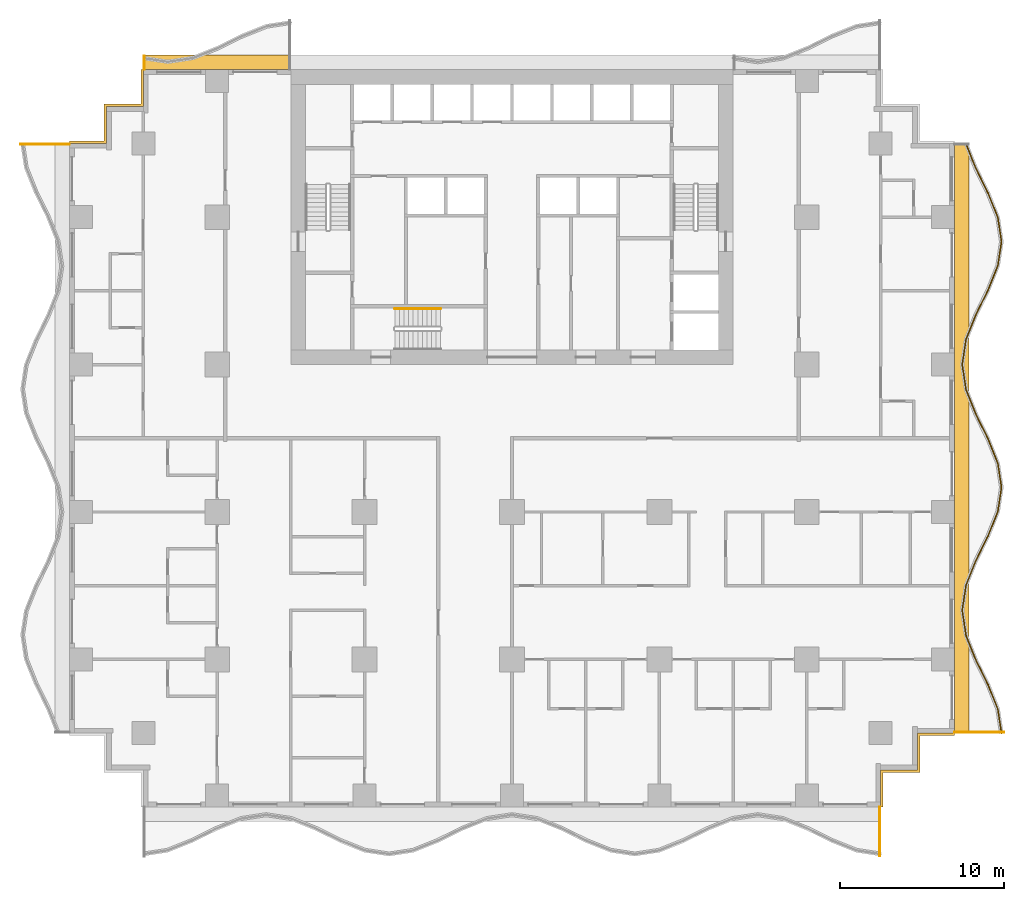
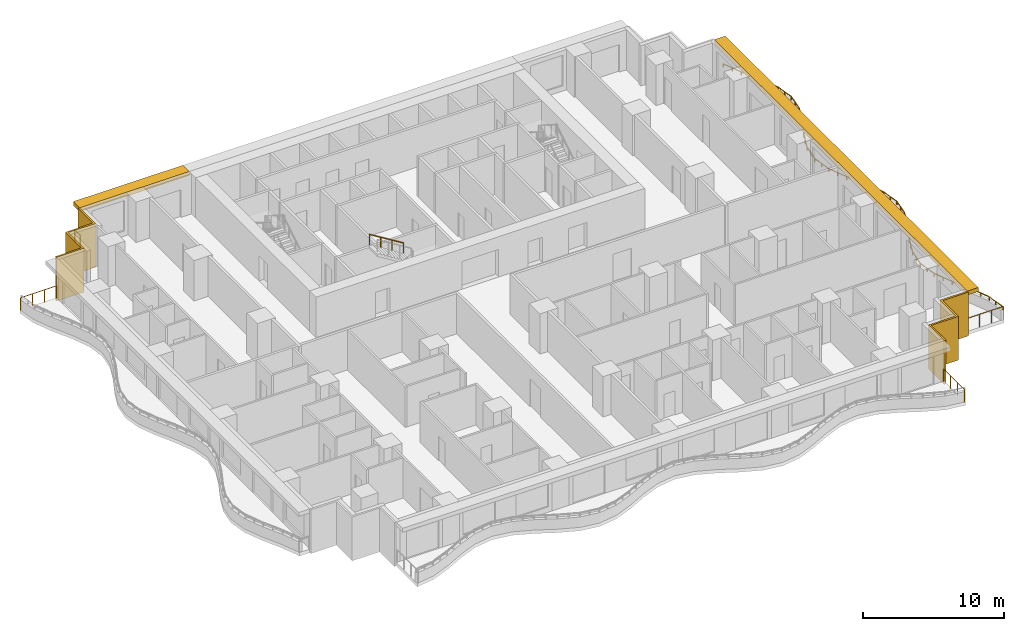
# One storey, part 10 of 13: 6 railings, 4 shading devices.
"""IFC4 building model written with IfcOpenShell, lengths in metres."""

from ifc_helpers import new_model, si_unit, direction, frame, origin, origin_2d, place, context, subcontext, project, spatial, polyline, rectangle, circle, outline, extrude, material, layer, layer_set, type_object, element, save


model = new_model("IFC4")

# Units and contexts
model_context = context("Model", 3, precision=1e-05, world=origin(), true_north=direction((0.0, 1.0)))
body_context = subcontext(model_context, "Body", "Model", "MODEL_VIEW")
ifc_project = project(units=[si_unit("LENGTHUNIT", "METRE"), si_unit("AREAUNIT", "SQUARE_METRE"), si_unit("VOLUMEUNIT", "CUBIC_METRE"), si_unit("PLANEANGLEUNIT", "RADIAN"), si_unit("MASSUNIT", "GRAM", prefix="KILO")], contexts=[model_context])

# Site, building, storey
site_placement = place(None, origin())
site = spatial("IfcSite", under=ifc_project, at=site_placement, CompositionType="ELEMENT")
building_placement = place(site_placement, origin())
building = spatial("IfcBuilding", under=site, at=building_placement, Name="Orbiselva Terraces", CompositionType="ELEMENT")
storey_placement = place(building_placement, frame((0.0, 0.0, 53.0)))
storey = spatial("IfcBuildingStorey", under=building, at=storey_placement, Name="L13", CompositionType="ELEMENT", Elevation=53.0)

# Railings
ifc_material_1 = material(Name="Stainless steel", Category="steel")
railing_type_1 = type_object("IfcRailingType", Name="CORE-HANDRAIL-900", PredefinedType="HANDRAIL", material=ifc_material_1)
railing_1_placement = place(storey_placement, frame((-4.35, 7.9, 2.072727)))
element("IfcRailing", 1, at=railing_1_placement, inside=storey, type_object=railing_type_1, Name="L13 S3 stair handrail 2", PredefinedType="HANDRAIL", context=body_context, shape_type="SweptSolid", body=[
    extrude(circle(Radius=0.024, at=origin_2d()), frame((0.0, 0.0, 0.876), z_axis=(-0.851088519012, 0.0, 0.52502222125), x_axis=(0.0, -1.0, 0.0)), (0.0, 0.0, 1.0), 3.289905),
    extrude(circle(Radius=0.021, at=origin_2d()), origin(), (0.0, 0.0, 1.0), 0.852),
    extrude(circle(Radius=0.021, at=origin_2d()), frame((-0.933333, 0.0, 0.575758)), (0.0, 0.0, 1.0), 0.852),
    extrude(circle(Radius=0.021, at=origin_2d()), frame((-1.866667, 0.0, 1.151515)), (0.0, 0.0, 1.0), 0.852),
    extrude(circle(Radius=0.021, at=origin_2d()), frame((-2.8, 0.0, 1.727273)), (0.0, 0.0, 1.0), 0.852),
])
ifc_material_2 = material(Name="Bonded two-ply safety glass balustrade, stainless steel posts", Category="steel")
railing_type_2 = type_object("IfcRailingType", Name="ENV-BALUSTRADE-1200", PredefinedType="BALUSTRADE", material=ifc_material_2)
railing_2_placement = place(storey_placement, frame((29.876434, -18.018879, 0.9)))
element("IfcRailing", 2, at=railing_2_placement, inside=storey, type_object=railing_type_2, Name="Balcony balustrade L13 E", PredefinedType="BALUSTRADE", context=body_context, shape_type="SweptSolid", body=[
    extrude(outline(polyline([(0.028868, 0.0), (0.014434, 0.025), (-0.014434, 0.025), (-0.028868, 0.0), (-0.014434, -0.025), (0.014434, -0.025), (0.028868, 0.0)])), frame((0.0, 0.0, 0.275), z_axis=(-0.151034103443, 0.988528552748, 0.0), x_axis=(-0.988528552748, -0.151034103443, 0.0)), (0.0, 0.0, 1.0), 1.503038),
    extrude(outline(polyline([(0.028868, 0.0), (0.014434, 0.025), (-0.014434, 0.025), (-0.028868, 0.0), (-0.014434, -0.025), (0.014434, -0.025), (0.028868, 0.0)])), frame((-0.22701, 1.485796, 0.275), z_axis=(-0.371391000387, 0.928476561272, 0.0), x_axis=(-0.928476561272, -0.371391000387, 0.0)), (0.0, 0.0, 1.0), 1.596261),
    extrude(outline(polyline([(0.028868, 0.0), (0.014434, 0.025), (-0.014434, 0.025), (-0.028868, 0.0), (-0.014434, -0.025), (0.014434, -0.025), (0.028868, 0.0)])), frame((-0.819847, 2.967887, 0.275), z_axis=(-0.443212307306, 0.896416672454, 0.0), x_axis=(-0.896416672454, -0.443212307306, 0.0)), (0.0, 0.0, 1.0), 1.673329),
    extrude(outline(polyline([(0.028868, 0.0), (0.014434, 0.025), (-0.014434, 0.025), (-0.028868, 0.0), (-0.014434, -0.025), (0.014434, -0.025), (0.028868, 0.0)])), frame((-1.561487, 4.467887, 0.275), z_axis=(-0.371390359967, 0.92847681744, 0.0), x_axis=(-0.92847681744, -0.371390359967, 0.0)), (0.0, 0.0, 1.0), 1.634838),
    extrude(outline(polyline([(0.028868, 0.0), (0.014434, 0.025), (-0.014434, 0.025), (-0.028868, 0.0), (-0.014434, -0.025), (0.014434, -0.025), (0.028868, 0.0)])), frame((-2.16865, 5.985796, 0.275), z_axis=(-0.151034211256, 0.988528536275, 0.0), x_axis=(-0.988528536275, -0.151034211256, 0.0)), (0.0, 0.0, 1.0), 1.550874),
    extrude(outline(polyline([(0.028868, 0.0), (0.014434, 0.025), (-0.014434, 0.025), (-0.028868, 0.0), (-0.014434, -0.025), (0.014434, -0.025), (0.028868, 0.0)])), frame((-2.402885, 7.518879, 0.275), z_axis=(0.151034211256, 0.988528536275, 0.0), x_axis=(-0.988528536275, 0.151034211256, 0.0)), (0.0, 0.0, 1.0), 1.550874),
    extrude(outline(polyline([(0.028868, 0.0), (0.014434, 0.025), (-0.014434, 0.025), (-0.028868, 0.0), (-0.014434, -0.025), (0.014434, -0.025), (0.028868, 0.0)])), frame((-2.16865, 9.051962, 0.275), z_axis=(0.371390359967, 0.92847681744, 0.0), x_axis=(-0.92847681744, 0.371390359967, 0.0)), (0.0, 0.0, 1.0), 1.634838),
    extrude(outline(polyline([(0.028868, 0.0), (0.014434, 0.025), (-0.014434, 0.025), (-0.028868, 0.0), (-0.014434, -0.025), (0.014434, -0.025), (0.028868, 0.0)])), frame((-1.561487, 10.569871, 0.275), z_axis=(0.443212307306, 0.896416672454, 0.0), x_axis=(-0.896416672454, 0.443212307306, 0.0)), (0.0, 0.0, 1.0), 1.673329),
    extrude(outline(polyline([(0.028868, 0.0), (0.014434, 0.025), (-0.014434, 0.025), (-0.028868, 0.0), (-0.014434, -0.025), (0.014434, -0.025), (0.028868, 0.0)])), frame((-0.819847, 12.069871, 0.275), z_axis=(0.371391000387, 0.928476561272, 0.0), x_axis=(-0.928476561272, 0.371391000387, 0.0)), (0.0, 0.0, 1.0), 1.596261),
    extrude(outline(polyline([(0.028868, 0.0), (0.014434, 0.025), (-0.014434, 0.025), (-0.028868, 0.0), (-0.014434, -0.025), (0.014434, -0.025), (0.028868, 0.0)])), frame((-0.22701, 13.551962, 0.275), z_axis=(0.151033749027, 0.988528606898, 0.0), x_axis=(-0.988528606898, 0.151033749027, 0.0)), (0.0, 0.0, 1.0), 1.48394),
    extrude(outline(polyline([(0.028868, 0.0), (0.014434, 0.025), (-0.014434, 0.025), (-0.028868, 0.0), (-0.014434, -0.025), (0.014434, -0.025), (0.028868, 0.0)])), frame((-0.002885, 15.018879, 0.275), z_axis=(-0.151033749027, 0.988528606898, 0.0), x_axis=(-0.988528606898, -0.151033749027, 0.0)), (0.0, 0.0, 1.0), 1.48394),
    extrude(outline(polyline([(0.028868, 0.0), (0.014434, 0.025), (-0.014434, 0.025), (-0.028868, 0.0), (-0.014434, -0.025), (0.014434, -0.025), (0.028868, 0.0)])), frame((-0.22701, 16.485796, 0.275), z_axis=(-0.371391000387, 0.928476561272, 0.0), x_axis=(-0.928476561272, -0.371391000387, 0.0)), (0.0, 0.0, 1.0), 1.596261),
    extrude(outline(polyline([(0.028868, 0.0), (0.014434, 0.025), (-0.014434, 0.025), (-0.028868, 0.0), (-0.014434, -0.025), (0.014434, -0.025), (0.028868, 0.0)])), frame((-0.819847, 17.967887, 0.275), z_axis=(-0.443212307306, 0.896416672454, 0.0), x_axis=(-0.896416672454, -0.443212307306, 0.0)), (0.0, 0.0, 1.0), 1.673329),
    extrude(outline(polyline([(0.028868, 0.0), (0.014434, 0.025), (-0.014434, 0.025), (-0.028868, 0.0), (-0.014434, -0.025), (0.014434, -0.025), (0.028868, 0.0)])), frame((-1.561487, 19.467887, 0.275), z_axis=(-0.371390359967, 0.92847681744, 0.0), x_axis=(-0.92847681744, -0.371390359967, 0.0)), (0.0, 0.0, 1.0), 1.634838),
    extrude(outline(polyline([(0.028868, 0.0), (0.014434, 0.025), (-0.014434, 0.025), (-0.028868, 0.0), (-0.014434, -0.025), (0.014434, -0.025), (0.028868, 0.0)])), frame((-2.16865, 20.985796, 0.275), z_axis=(-0.151034211256, 0.988528536275, 0.0), x_axis=(-0.988528536275, -0.151034211256, 0.0)), (0.0, 0.0, 1.0), 1.550874),
    extrude(outline(polyline([(0.028868, 0.0), (0.014434, 0.025), (-0.014434, 0.025), (-0.028868, 0.0), (-0.014434, -0.025), (0.014434, -0.025), (0.028868, 0.0)])), frame((-2.402885, 22.518879, 0.275), z_axis=(0.151034211256, 0.988528536275, 0.0), x_axis=(-0.988528536275, 0.151034211256, 0.0)), (0.0, 0.0, 1.0), 1.550874),
    extrude(outline(polyline([(0.028868, 0.0), (0.014434, 0.025), (-0.014434, 0.025), (-0.028868, 0.0), (-0.014434, -0.025), (0.014434, -0.025), (0.028868, 0.0)])), frame((-2.16865, 24.051962, 0.275), z_axis=(0.371390359967, 0.92847681744, 0.0), x_axis=(-0.92847681744, 0.371390359967, 0.0)), (0.0, 0.0, 1.0), 1.634838),
    extrude(outline(polyline([(0.028868, 0.0), (0.014434, 0.025), (-0.014434, 0.025), (-0.028868, 0.0), (-0.014434, -0.025), (0.014434, -0.025), (0.028868, 0.0)])), frame((-1.561487, 25.569871, 0.275), z_axis=(0.443212307306, 0.896416672454, 0.0), x_axis=(-0.896416672454, 0.443212307306, 0.0)), (0.0, 0.0, 1.0), 1.673329),
    extrude(outline(polyline([(0.028868, 0.0), (0.014434, 0.025), (-0.014434, 0.025), (-0.028868, 0.0), (-0.014434, -0.025), (0.014434, -0.025), (0.028868, 0.0)])), frame((-0.819847, 27.069871, 0.275), z_axis=(0.371391000387, 0.928476561272, 0.0), x_axis=(-0.928476561272, 0.371391000387, 0.0)), (0.0, 0.0, 1.0), 1.596261),
    extrude(outline(polyline([(0.028868, 0.0), (0.014434, 0.025), (-0.014434, 0.025), (-0.028868, 0.0), (-0.014434, -0.025), (0.014434, -0.025), (0.028868, 0.0)])), frame((-0.22701, 28.551962, 0.275), z_axis=(0.151033749027, 0.988528606898, 0.0), x_axis=(-0.988528606898, 0.151033749027, 0.0)), (0.0, 0.0, 1.0), 1.48394),
    extrude(outline(polyline([(0.028868, 0.0), (0.014434, 0.025), (-0.014434, 0.025), (-0.028868, 0.0), (-0.014434, -0.025), (0.014434, -0.025), (0.028868, 0.0)])), frame((-0.002885, 30.018879, 0.275), z_axis=(-0.151033749027, 0.988528606898, 0.0), x_axis=(-0.988528606898, -0.151033749027, 0.0)), (0.0, 0.0, 1.0), 1.48394),
    extrude(outline(polyline([(0.028868, 0.0), (0.014434, 0.025), (-0.014434, 0.025), (-0.028868, 0.0), (-0.014434, -0.025), (0.014434, -0.025), (0.028868, 0.0)])), frame((-0.22701, 31.485796, 0.275), z_axis=(-0.371391000387, 0.928476561272, 0.0), x_axis=(-0.928476561272, -0.371391000387, 0.0)), (0.0, 0.0, 1.0), 1.596261),
    extrude(outline(polyline([(0.028868, 0.0), (0.014434, 0.025), (-0.014434, 0.025), (-0.028868, 0.0), (-0.014434, -0.025), (0.014434, -0.025), (0.028868, 0.0)])), frame((-0.819847, 32.967887, 0.275), z_axis=(-0.443212307306, 0.896416672454, 0.0), x_axis=(-0.896416672454, -0.443212307306, 0.0)), (0.0, 0.0, 1.0), 1.673329),
    extrude(outline(polyline([(0.028868, 0.0), (0.014434, 0.025), (-0.014434, 0.025), (-0.028868, 0.0), (-0.014434, -0.025), (0.014434, -0.025), (0.028868, 0.0)])), frame((-1.561487, 34.467887, 0.275), z_axis=(-0.371390569957, 0.928476733444, 0.0), x_axis=(-0.928476733444, -0.371390569957, 0.0)), (0.0, 0.0, 1.0), 1.620469),
    extrude(rectangle(XDim=0.05, YDim=0.05, at=origin_2d()), origin(), (0.0, 0.0, 1.0), 0.25),
    extrude(rectangle(XDim=0.05, YDim=0.05, at=origin_2d()), frame((-0.113505, 0.742898, 0.0)), (0.0, 0.0, 1.0), 0.25),
    extrude(rectangle(XDim=0.05, YDim=0.05, at=origin_2d()), frame((-0.22701, 1.485796, 0.0)), (0.0, 0.0, 1.0), 0.25),
    extrude(rectangle(XDim=0.05, YDim=0.05, at=origin_2d()), frame((-0.523428, 2.226841, 0.0)), (0.0, 0.0, 1.0), 0.25),
    extrude(rectangle(XDim=0.05, YDim=0.05, at=origin_2d()), frame((-0.819847, 2.967887, 0.0)), (0.0, 0.0, 1.0), 0.25),
    extrude(rectangle(XDim=0.05, YDim=0.05, at=origin_2d()), frame((-1.190667, 3.717887, 0.0)), (0.0, 0.0, 1.0), 0.25),
    extrude(rectangle(XDim=0.05, YDim=0.05, at=origin_2d()), frame((-1.561487, 4.467887, 0.0)), (0.0, 0.0, 1.0), 0.25),
    extrude(rectangle(XDim=0.05, YDim=0.05, at=origin_2d()), frame((-1.865068, 5.226841, 0.0)), (0.0, 0.0, 1.0), 0.25),
    extrude(rectangle(XDim=0.05, YDim=0.05, at=origin_2d()), frame((-2.16865, 5.985796, 0.0)), (0.0, 0.0, 1.0), 0.25),
    extrude(rectangle(XDim=0.05, YDim=0.05, at=origin_2d()), frame((-2.285768, 6.752337, 0.0)), (0.0, 0.0, 1.0), 0.25),
    extrude(rectangle(XDim=0.05, YDim=0.05, at=origin_2d()), frame((-2.402885, 7.518879, 0.0)), (0.0, 0.0, 1.0), 0.25),
    extrude(rectangle(XDim=0.05, YDim=0.05, at=origin_2d()), frame((-2.285768, 8.28542, 0.0)), (0.0, 0.0, 1.0), 0.25),
    extrude(rectangle(XDim=0.05, YDim=0.05, at=origin_2d()), frame((-2.16865, 9.051962, 0.0)), (0.0, 0.0, 1.0), 0.25),
    extrude(rectangle(XDim=0.05, YDim=0.05, at=origin_2d()), frame((-1.865068, 9.810916, 0.0)), (0.0, 0.0, 1.0), 0.25),
    extrude(rectangle(XDim=0.05, YDim=0.05, at=origin_2d()), frame((-1.561487, 10.569871, 0.0)), (0.0, 0.0, 1.0), 0.25),
    extrude(rectangle(XDim=0.05, YDim=0.05, at=origin_2d()), frame((-1.190667, 11.319871, 0.0)), (0.0, 0.0, 1.0), 0.25),
    extrude(rectangle(XDim=0.05, YDim=0.05, at=origin_2d()), frame((-0.819847, 12.069871, 0.0)), (0.0, 0.0, 1.0), 0.25),
    extrude(rectangle(XDim=0.05, YDim=0.05, at=origin_2d()), frame((-0.523428, 12.810916, 0.0)), (0.0, 0.0, 1.0), 0.25),
    extrude(rectangle(XDim=0.05, YDim=0.05, at=origin_2d()), frame((-0.22701, 13.551962, 0.0)), (0.0, 0.0, 1.0), 0.25),
    extrude(rectangle(XDim=0.05, YDim=0.05, at=origin_2d()), frame((-0.114947, 14.28542, 0.0)), (0.0, 0.0, 1.0), 0.25),
    extrude(rectangle(XDim=0.05, YDim=0.05, at=origin_2d()), frame((-0.002885, 15.018879, 0.0)), (0.0, 0.0, 1.0), 0.25),
    extrude(rectangle(XDim=0.05, YDim=0.05, at=origin_2d()), frame((-0.114947, 15.752337, 0.0)), (0.0, 0.0, 1.0), 0.25),
    extrude(rectangle(XDim=0.05, YDim=0.05, at=origin_2d()), frame((-0.22701, 16.485796, 0.0)), (0.0, 0.0, 1.0), 0.25),
    extrude(rectangle(XDim=0.05, YDim=0.05, at=origin_2d()), frame((-0.523428, 17.226842, 0.0)), (0.0, 0.0, 1.0), 0.25),
    extrude(rectangle(XDim=0.05, YDim=0.05, at=origin_2d()), frame((-0.819847, 17.967887, 0.0)), (0.0, 0.0, 1.0), 0.25),
    extrude(rectangle(XDim=0.05, YDim=0.05, at=origin_2d()), frame((-1.190667, 18.717887, 0.0)), (0.0, 0.0, 1.0), 0.25),
    extrude(rectangle(XDim=0.05, YDim=0.05, at=origin_2d()), frame((-1.561487, 19.467887, 0.0)), (0.0, 0.0, 1.0), 0.25),
    extrude(rectangle(XDim=0.05, YDim=0.05, at=origin_2d()), frame((-1.865068, 20.226842, 0.0)), (0.0, 0.0, 1.0), 0.25),
    extrude(rectangle(XDim=0.05, YDim=0.05, at=origin_2d()), frame((-2.16865, 20.985796, 0.0)), (0.0, 0.0, 1.0), 0.25),
    extrude(rectangle(XDim=0.05, YDim=0.05, at=origin_2d()), frame((-2.285768, 21.752337, 0.0)), (0.0, 0.0, 1.0), 0.25),
    extrude(rectangle(XDim=0.05, YDim=0.05, at=origin_2d()), frame((-2.402885, 22.518879, 0.0)), (0.0, 0.0, 1.0), 0.25),
    extrude(rectangle(XDim=0.05, YDim=0.05, at=origin_2d()), frame((-2.285768, 23.28542, 0.0)), (0.0, 0.0, 1.0), 0.25),
    extrude(rectangle(XDim=0.05, YDim=0.05, at=origin_2d()), frame((-2.16865, 24.051962, 0.0)), (0.0, 0.0, 1.0), 0.25),
    extrude(rectangle(XDim=0.05, YDim=0.05, at=origin_2d()), frame((-1.865068, 24.810916, 0.0)), (0.0, 0.0, 1.0), 0.25),
    extrude(rectangle(XDim=0.05, YDim=0.05, at=origin_2d()), frame((-1.561487, 25.569871, 0.0)), (0.0, 0.0, 1.0), 0.25),
    extrude(rectangle(XDim=0.05, YDim=0.05, at=origin_2d()), frame((-1.190667, 26.319871, 0.0)), (0.0, 0.0, 1.0), 0.25),
    extrude(rectangle(XDim=0.05, YDim=0.05, at=origin_2d()), frame((-0.819847, 27.069871, 0.0)), (0.0, 0.0, 1.0), 0.25),
    extrude(rectangle(XDim=0.05, YDim=0.05, at=origin_2d()), frame((-0.523428, 27.810916, 0.0)), (0.0, 0.0, 1.0), 0.25),
    extrude(rectangle(XDim=0.05, YDim=0.05, at=origin_2d()), frame((-0.22701, 28.551962, 0.0)), (0.0, 0.0, 1.0), 0.25),
    extrude(rectangle(XDim=0.05, YDim=0.05, at=origin_2d()), frame((-0.114947, 29.28542, 0.0)), (0.0, 0.0, 1.0), 0.25),
    extrude(rectangle(XDim=0.05, YDim=0.05, at=origin_2d()), frame((-0.002885, 30.018879, 0.0)), (0.0, 0.0, 1.0), 0.25),
    extrude(rectangle(XDim=0.05, YDim=0.05, at=origin_2d()), frame((-0.114947, 30.752338, 0.0)), (0.0, 0.0, 1.0), 0.25),
    extrude(rectangle(XDim=0.05, YDim=0.05, at=origin_2d()), frame((-0.22701, 31.485796, 0.0)), (0.0, 0.0, 1.0), 0.25),
    extrude(rectangle(XDim=0.05, YDim=0.05, at=origin_2d()), frame((-0.523428, 32.226842, 0.0)), (0.0, 0.0, 1.0), 0.25),
    extrude(rectangle(XDim=0.05, YDim=0.05, at=origin_2d()), frame((-0.819847, 32.967887, 0.0)), (0.0, 0.0, 1.0), 0.25),
    extrude(rectangle(XDim=0.05, YDim=0.05, at=origin_2d()), frame((-1.190667, 33.717887, 0.0)), (0.0, 0.0, 1.0), 0.25),
    extrude(rectangle(XDim=0.05, YDim=0.05, at=origin_2d()), frame((-1.561487, 34.467887, 0.0)), (0.0, 0.0, 1.0), 0.25),
    extrude(rectangle(XDim=0.05, YDim=0.05, at=origin_2d()), frame((-1.8624, 35.220171, 0.0)), (0.0, 0.0, 1.0), 0.25),
    extrude(rectangle(XDim=0.05, YDim=0.05, at=origin_2d()), frame((-2.163314, 35.972455, 0.0)), (0.0, 0.0, 1.0), 0.25),
])
ifc_material_3 = material(Name="Stainless steel rail and posts", Category="steel")
railing_type_3 = type_object("IfcRailingType", Name="ENV-GUARD-1105", PredefinedType="BALUSTRADE", material=ifc_material_3)
railing_3_placement = place(storey_placement, frame((22.44, -25.499621, 0.0)))
element("IfcRailing", 3, at=railing_3_placement, inside=storey, type_object=railing_type_3, Name="Balcony end guard L13 S", PredefinedType="BALUSTRADE", context=body_context, shape_type="SweptSolid", body=[
    extrude(outline(polyline([(0.028868, 0.0), (0.014434, 0.025), (-0.014434, 0.025), (-0.028868, 0.0), (-0.014434, -0.025), (0.014434, -0.025), (0.028868, 0.0)])), frame((0.0, 0.0, 1.08), z_axis=(0.0, 1.0, 0.0), x_axis=(-1.0, 0.0, 0.0)), (0.0, 0.0, 1.0), 2.974621),
    extrude(rectangle(XDim=0.05, YDim=0.05, at=origin_2d()), origin(), (0.0, 0.0, 1.0), 1.055),
    extrude(rectangle(XDim=0.05, YDim=0.05, at=origin_2d()), frame((0.0, 0.99154, 0.0)), (0.0, 0.0, 1.0), 1.055),
    extrude(rectangle(XDim=0.05, YDim=0.05, at=origin_2d()), frame((0.0, 1.983081, 0.0)), (0.0, 0.0, 1.0), 1.055),
    extrude(rectangle(XDim=0.05, YDim=0.05, at=origin_2d()), frame((0.0, 2.974621, 0.0)), (0.0, 0.0, 1.0), 1.055),
])
railing_4_placement = place(storey_placement, frame((29.999621, -17.94, 0.0)))
element("IfcRailing", 4, at=railing_4_placement, inside=storey, type_object=railing_type_3, Name="Balcony end guard L13 E", PredefinedType="BALUSTRADE", context=body_context, shape_type="SweptSolid", body=[
    extrude(outline(polyline([(0.028868, 0.0), (0.014434, 0.025), (-0.014434, 0.025), (-0.028868, 0.0), (-0.014434, -0.025), (0.014434, -0.025), (0.028868, 0.0)])), frame((0.0, 0.0, 1.08), z_axis=(-1.0, 0.0, 0.0), x_axis=(0.0, -1.0, 0.0)), (0.0, 0.0, 1.0), 2.974621),
    extrude(rectangle(XDim=0.05, YDim=0.05, at=origin_2d()), origin(), (0.0, 0.0, 1.0), 1.055),
    extrude(rectangle(XDim=0.05, YDim=0.05, at=origin_2d()), frame((-0.99154, 0.0, 0.0)), (0.0, 0.0, 1.0), 1.055),
    extrude(rectangle(XDim=0.05, YDim=0.05, at=origin_2d()), frame((-1.983081, 0.0, 0.0)), (0.0, 0.0, 1.0), 1.055),
    extrude(rectangle(XDim=0.05, YDim=0.05, at=origin_2d()), frame((-2.974621, 0.0, 0.0)), (0.0, 0.0, 1.0), 1.055),
])
railing_5_placement = place(storey_placement, frame((-22.44, 23.311761, 0.0)))
element("IfcRailing", 5, at=railing_5_placement, inside=storey, type_object=railing_type_3, Name="Balcony end guard L13 NW", PredefinedType="BALUSTRADE", context=body_context, shape_type="SweptSolid", body=[
    extrude(outline(polyline([(0.028868, 0.0), (0.014434, 0.025), (-0.014434, 0.025), (-0.028868, 0.0), (-0.014434, -0.025), (0.014434, -0.025), (0.028868, 0.0)])), frame((0.0, 0.0, 1.08), z_axis=(0.0, -1.0, 0.0), x_axis=(1.0, 0.0, 0.0)), (0.0, 0.0, 1.0), 0.786761),
    extrude(rectangle(XDim=0.05, YDim=0.05, at=origin_2d()), origin(), (0.0, 0.0, 1.0), 1.055),
    extrude(rectangle(XDim=0.05, YDim=0.05, at=origin_2d()), frame((0.0, -0.786761, 0.0)), (0.0, 0.0, 1.0), 1.055),
])
railing_6_placement = place(storey_placement, frame((-29.999621, 17.94, 0.0)))
element("IfcRailing", 6, at=railing_6_placement, inside=storey, type_object=railing_type_3, Name="Balcony end guard L13 W", PredefinedType="BALUSTRADE", context=body_context, shape_type="SweptSolid", body=[
    extrude(outline(polyline([(0.028868, 0.0), (0.014434, 0.025), (-0.014434, 0.025), (-0.028868, 0.0), (-0.014434, -0.025), (0.014434, -0.025), (0.028868, 0.0)])), frame((0.0, 0.0, 1.08), z_axis=(1.0, 0.0, 0.0), x_axis=(0.0, 1.0, 0.0)), (0.0, 0.0, 1.0), 2.974621),
    extrude(rectangle(XDim=0.05, YDim=0.05, at=origin_2d()), origin(), (0.0, 0.0, 1.0), 1.055),
    extrude(rectangle(XDim=0.05, YDim=0.05, at=origin_2d()), frame((0.99154, 0.0, 0.0)), (0.0, 0.0, 1.0), 1.055),
    extrude(rectangle(XDim=0.05, YDim=0.05, at=origin_2d()), frame((1.983081, 0.0, 0.0)), (0.0, 0.0, 1.0), 1.055),
    extrude(rectangle(XDim=0.05, YDim=0.05, at=origin_2d()), frame((2.974621, 0.0, 0.0)), (0.0, 0.0, 1.0), 1.055),
])

# Shading devices
ifc_material_4 = material(Name="Terracotta louvre screen", Category="masonry")
ifc_layer_1 = layer(ifc_material_4, 0.15)
ifc_layer_set_1 = layer_set([ifc_layer_1], Name="Terracotta louvre screen")
shading_device_type_1 = type_object("IfcShadingDeviceType", Name="ENV-SCREEN-150", PredefinedType="USERDEFINED", material=ifc_layer_set_1)
shading_device_1_placement = place(storey_placement, frame((0.0, 0.0, -0.3)))
element("IfcShadingDevice", 7, at=shading_device_1_placement, inside=storey, type_object=shading_device_type_1, Name="Louvre screen L13 NW", ObjectType="SCREEN", PredefinedType="USERDEFINED", context=body_context, shape_type="SweptSolid", body=[
    extrude(outline(polyline([(-22.65, 22.5), (-22.65, 20.4), (-24.9, 20.4), (-24.9, 18.15), (-27.0, 18.15), (-27.0, 18.0), (-24.75, 18.0), (-24.75, 20.25), (-22.5, 20.25), (-22.5, 22.5), (-22.65, 22.5)])), origin(), (0.0, 0.0, 1.0), 3.8),
])
shading_device_2_placement = place(storey_placement, frame((0.0, 0.0, -0.3)))
element("IfcShadingDevice", 8, at=shading_device_2_placement, inside=storey, type_object=shading_device_type_1, Name="Louvre screen L13 SE", ObjectType="SCREEN", PredefinedType="USERDEFINED", context=body_context, shape_type="SweptSolid", body=[
    extrude(outline(polyline([(22.65, -22.5), (22.65, -20.4), (24.9, -20.4), (24.9, -18.15), (27.0, -18.15), (27.0, -18.0), (24.75, -18.0), (24.75, -20.25), (22.5, -20.25), (22.5, -22.5), (22.65, -22.5)])), origin(), (0.0, 0.0, 1.0), 3.8),
])
ifc_material_5 = material(Name="Terracotta baguette sunshade", Category="masonry")
ifc_layer_2 = layer(ifc_material_5, 0.35)
ifc_layer_set_2 = layer_set([ifc_layer_2], Name="Terracotta baguette sunshade")
shading_device_type_2 = type_object("IfcShadingDeviceType", Name="ENV-SUNSHADE-900x350", PredefinedType="USERDEFINED", material=ifc_layer_set_2)
shading_device_3_placement = place(storey_placement, frame((0.0, 0.0, 3.15)))
element("IfcShadingDevice", 9, at=shading_device_3_placement, inside=storey, type_object=shading_device_type_2, Name="Sunshade band L13 E", ObjectType="SUNSHADE", PredefinedType="USERDEFINED", context=body_context, shape_type="SweptSolid", body=[
    extrude(outline(polyline([(27.9, -18.0), (27.9, 18.0), (27.0, 18.0), (27.0, -18.0), (27.9, -18.0)])), origin(), (0.0, 0.0, 1.0), 0.35),
])
shading_device_4_placement = place(storey_placement, frame((0.0, 0.0, 3.15)))
element("IfcShadingDevice", 10, at=shading_device_4_placement, inside=storey, type_object=shading_device_type_2, Name="Sunshade band L13 NW", ObjectType="SUNSHADE", PredefinedType="USERDEFINED", context=body_context, shape_type="SweptSolid", body=[
    extrude(outline(polyline([(-13.5, 23.4), (-22.5, 23.4), (-22.5, 22.5), (-13.5, 22.5), (-13.5, 23.4)])), origin(), (0.0, 0.0, 1.0), 0.35),
])

save(model, "model.ifc")
